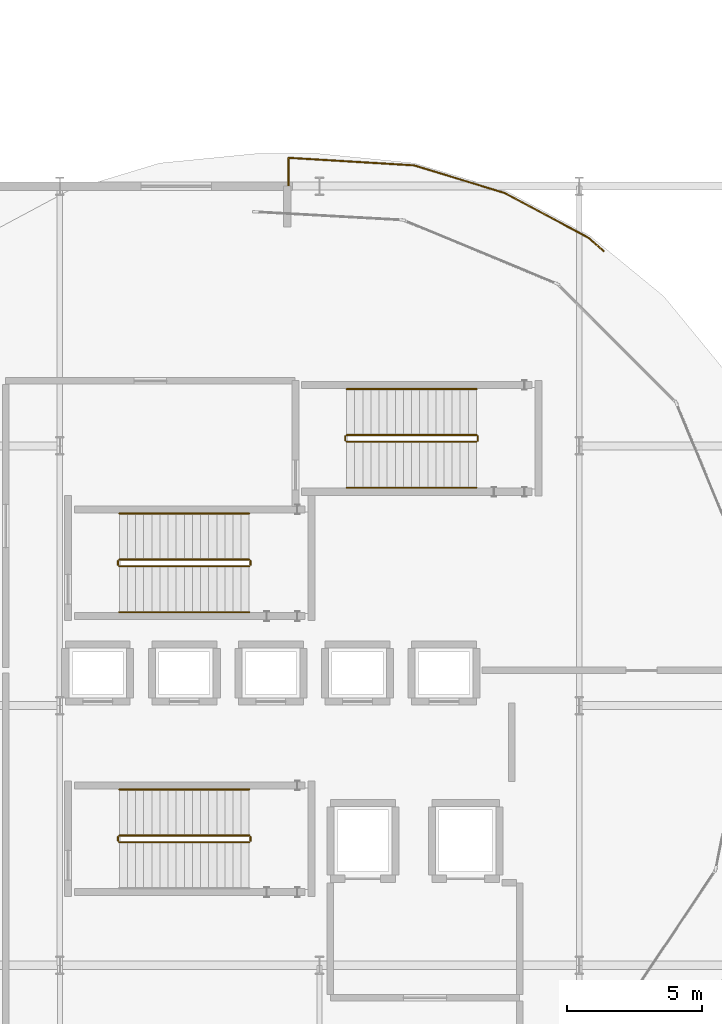
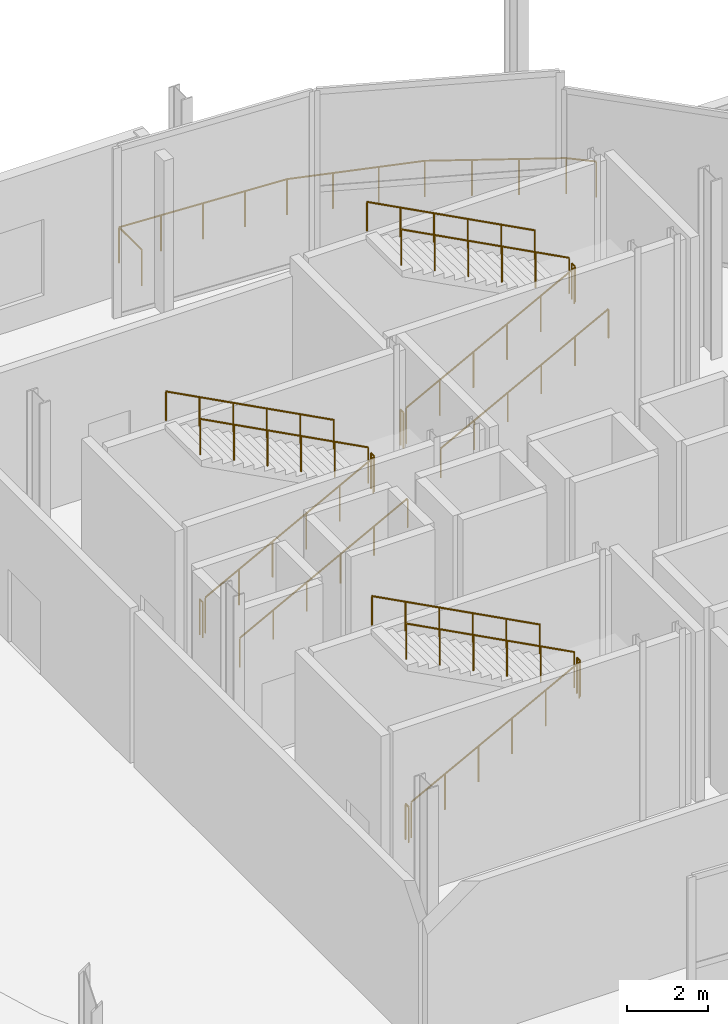
# One storey, part 80 of 84: 18 railings.
"""IFC4 building model written with IfcOpenShell, lengths in metres."""

from ifc_helpers import new_model, si_unit, direction, frame, origin, origin_2d, place, context, subcontext, project, spatial, circle, extrude, material, type_object, element, save


model = new_model("IFC4")

# Units and contexts
model_context = context("Model", 3, precision=1e-05, world=origin(), true_north=direction((0.0, 1.0)))
body_context = subcontext(model_context, "Body", "Model", "MODEL_VIEW")
ifc_project = project(units=[si_unit("LENGTHUNIT", "METRE"), si_unit("AREAUNIT", "SQUARE_METRE"), si_unit("VOLUMEUNIT", "CUBIC_METRE"), si_unit("PLANEANGLEUNIT", "RADIAN"), si_unit("MASSUNIT", "GRAM", prefix="KILO")], contexts=[model_context])

# Site, building, storey
site_placement = place(None, origin())
site = spatial("IfcSite", under=ifc_project, at=site_placement, CompositionType="ELEMENT")
building_placement = place(site_placement, origin())
building = spatial("IfcBuilding", under=site, at=building_placement, Name="Zevrakil Square Congress Hotel", CompositionType="ELEMENT")
storey_placement = place(building_placement, origin())
storey = spatial("IfcBuildingStorey", under=building, at=storey_placement, Name="L01", CompositionType="ELEMENT", Elevation=0.0)

# Railings
ifc_material_1 = material(Name="Steel S355", Category="steel")
railing_type_1 = type_object("IfcRailingType", Name="RLG-STAIR-GUARD-1100", PredefinedType="BALUSTRADE", material=ifc_material_1)
railing_1_placement = place(storey_placement, frame((139.0, 21.35009765625, 0.158935546875)))
element("IfcRailing", 1, at=railing_1_placement, inside=storey, type_object=railing_type_1, Name="L01 ST01 stair guard 1", PredefinedType="BALUSTRADE", context=body_context, shape_type="SweptSolid", body=[
    extrude(circle(Radius=0.02392578125, at=origin_2d()), frame((0.0, 0.0, 1.076171875), z_axis=(0.883802130504, 0.0, 0.467860870469), x_axis=(0.0, 1.0, 0.0)), (0.0, 0.0, 1.0), 5.43115234375),
    extrude(circle(Radius=0.02099609375, at=origin_2d()), origin(), (0.0, 0.0, 1.0), 1.052001953125),
    extrude(circle(Radius=0.02099609375, at=origin_2d()), frame((0.9599609375, 0.0, 0.50830078125)), (0.0, 0.0, 1.0), 1.052001953125),
    extrude(circle(Radius=0.02099609375, at=origin_2d()), frame((1.919921875, 0.0, 1.016357421875)), (0.0, 0.0, 1.0), 1.052001953125),
    extrude(circle(Radius=0.02099609375, at=origin_2d()), frame((2.880126953125, 0.0, 1.524658203125)), (0.0, 0.0, 1.0), 1.052001953125),
    extrude(circle(Radius=0.02099609375, at=origin_2d()), frame((3.840087890625, 0.0, 2.03271484375)), (0.0, 0.0, 1.0), 1.052001953125),
    extrude(circle(Radius=0.02099609375, at=origin_2d()), frame((4.800048828125, 0.0, 2.541015625)), (0.0, 0.0, 1.0), 1.052001953125),
])
railing_2_placement = place(storey_placement, frame((143.85009765625, 21.39990234375, 2.699951171875)))
element("IfcRailing", 2, at=railing_2_placement, inside=storey, type_object=railing_type_1, Name="L01 ST01 stair guard 2", PredefinedType="BALUSTRADE", context=body_context, shape_type="SweptSolid", body=[
    extrude(circle(Radius=0.02392578125, at=origin_2d()), frame((0.0, 0.0, 1.076171875), z_axis=(0.0, 1.0, 0.0), x_axis=(-1.0, 0.0, 0.0)), (0.0, 0.0, 1.0), 0.150146484375),
    extrude(circle(Radius=0.02099609375, at=origin_2d()), origin(), (0.0, 0.0, 1.0), 1.052001953125),
    extrude(circle(Radius=0.02099609375, at=origin_2d()), frame((0.0, 0.150146484375, 0.0)), (0.0, 0.0, 1.0), 1.052001953125),
])
railing_3_placement = place(storey_placement, frame((143.800048828125, 21.60009765625, 2.85888671875)))
element("IfcRailing", 3, at=railing_3_placement, inside=storey, type_object=railing_type_1, Name="L01 ST01 stair guard 3", PredefinedType="BALUSTRADE", context=body_context, shape_type="SweptSolid", body=[
    extrude(circle(Radius=0.02392578125, at=origin_2d()), frame((0.0, 0.0, 1.076171875), z_axis=(-0.883802130504, 0.0, 0.467860870469), x_axis=(0.0, -1.0, 0.0)), (0.0, 0.0, 1.0), 5.43115234375),
    extrude(circle(Radius=0.02099609375, at=origin_2d()), origin(), (0.0, 0.0, 1.0), 1.052001953125),
    extrude(circle(Radius=0.02099609375, at=origin_2d()), frame((-0.9599609375, 0.0, 0.50830078125)), (0.0, 0.0, 1.0), 1.052001953125),
    extrude(circle(Radius=0.02099609375, at=origin_2d()), frame((-1.919921875, 0.0, 1.016357421875)), (0.0, 0.0, 1.0), 1.052001953125),
    extrude(circle(Radius=0.02099609375, at=origin_2d()), frame((-2.880126953125, 0.0, 1.524658203125)), (0.0, 0.0, 1.0), 1.052001953125),
    extrude(circle(Radius=0.02099609375, at=origin_2d()), frame((-3.840087890625, 0.0, 2.03271484375)), (0.0, 0.0, 1.0), 1.052001953125),
    extrude(circle(Radius=0.02099609375, at=origin_2d()), frame((-4.800048828125, 0.0, 2.541015625)), (0.0, 0.0, 1.0), 1.052001953125),
])
railing_4_placement = place(storey_placement, frame((138.949951171875, 21.39990234375, 0.0)))
element("IfcRailing", 4, at=railing_4_placement, inside=storey, type_object=railing_type_1, Name="L01 ST01 stair guard 4", PredefinedType="BALUSTRADE", context=body_context, shape_type="SweptSolid", body=[
    extrude(circle(Radius=0.02392578125, at=origin_2d()), frame((0.0, 0.0, 1.076171875), z_axis=(0.0, 1.0, 0.0), x_axis=(-1.0, 0.0, 0.0)), (0.0, 0.0, 1.0), 0.150146484375),
    extrude(circle(Radius=0.02099609375, at=origin_2d()), origin(), (0.0, 0.0, 1.0), 1.052001953125),
    extrude(circle(Radius=0.02099609375, at=origin_2d()), frame((0.0, 0.150146484375, 0.0)), (0.0, 0.0, 1.0), 1.052001953125),
])
railing_5_placement = place(storey_placement, frame((139.0, 31.550048828125, 0.158935546875)))
element("IfcRailing", 5, at=railing_5_placement, inside=storey, type_object=railing_type_1, Name="L01 ST02 stair guard 1", PredefinedType="BALUSTRADE", context=body_context, shape_type="SweptSolid", body=[
    extrude(circle(Radius=0.02392578125, at=origin_2d()), frame((0.0, 0.0, 1.076171875), z_axis=(0.883802130504, 0.0, 0.467860870469), x_axis=(0.0, 1.0, 0.0)), (0.0, 0.0, 1.0), 5.43115234375),
    extrude(circle(Radius=0.02099609375, at=origin_2d()), origin(), (0.0, 0.0, 1.0), 1.052001953125),
    extrude(circle(Radius=0.02099609375, at=origin_2d()), frame((0.9599609375, 0.0, 0.50830078125)), (0.0, 0.0, 1.0), 1.052001953125),
    extrude(circle(Radius=0.02099609375, at=origin_2d()), frame((1.919921875, 0.0, 1.016357421875)), (0.0, 0.0, 1.0), 1.052001953125),
    extrude(circle(Radius=0.02099609375, at=origin_2d()), frame((2.880126953125, 0.0, 1.524658203125)), (0.0, 0.0, 1.0), 1.052001953125),
    extrude(circle(Radius=0.02099609375, at=origin_2d()), frame((3.840087890625, 0.0, 2.03271484375)), (0.0, 0.0, 1.0), 1.052001953125),
    extrude(circle(Radius=0.02099609375, at=origin_2d()), frame((4.800048828125, 0.0, 2.541015625)), (0.0, 0.0, 1.0), 1.052001953125),
])
railing_6_placement = place(storey_placement, frame((143.85009765625, 31.60009765625, 2.699951171875)))
element("IfcRailing", 6, at=railing_6_placement, inside=storey, type_object=railing_type_1, Name="L01 ST02 stair guard 2", PredefinedType="BALUSTRADE", context=body_context, shape_type="SweptSolid", body=[
    extrude(circle(Radius=0.02392578125, at=origin_2d()), frame((0.0, 0.0, 1.076171875), z_axis=(0.0, 1.0, 0.0), x_axis=(-1.0, 0.0, 0.0)), (0.0, 0.0, 1.0), 0.14990234375),
    extrude(circle(Radius=0.02099609375, at=origin_2d()), origin(), (0.0, 0.0, 1.0), 1.052001953125),
    extrude(circle(Radius=0.02099609375, at=origin_2d()), frame((0.0, 0.14990234375, 0.0)), (0.0, 0.0, 1.0), 1.052001953125),
])
railing_7_placement = place(storey_placement, frame((143.800048828125, 31.800048828125, 2.85888671875)))
element("IfcRailing", 7, at=railing_7_placement, inside=storey, type_object=railing_type_1, Name="L01 ST02 stair guard 3", PredefinedType="BALUSTRADE", context=body_context, shape_type="SweptSolid", body=[
    extrude(circle(Radius=0.02392578125, at=origin_2d()), frame((0.0, 0.0, 1.076171875), z_axis=(-0.883802130504, 0.0, 0.467860870469), x_axis=(0.0, -1.0, 0.0)), (0.0, 0.0, 1.0), 5.43115234375),
    extrude(circle(Radius=0.02099609375, at=origin_2d()), origin(), (0.0, 0.0, 1.0), 1.052001953125),
    extrude(circle(Radius=0.02099609375, at=origin_2d()), frame((-0.9599609375, 0.0, 0.50830078125)), (0.0, 0.0, 1.0), 1.052001953125),
    extrude(circle(Radius=0.02099609375, at=origin_2d()), frame((-1.919921875, 0.0, 1.016357421875)), (0.0, 0.0, 1.0), 1.052001953125),
    extrude(circle(Radius=0.02099609375, at=origin_2d()), frame((-2.880126953125, 0.0, 1.524658203125)), (0.0, 0.0, 1.0), 1.052001953125),
    extrude(circle(Radius=0.02099609375, at=origin_2d()), frame((-3.840087890625, 0.0, 2.03271484375)), (0.0, 0.0, 1.0), 1.052001953125),
    extrude(circle(Radius=0.02099609375, at=origin_2d()), frame((-4.800048828125, 0.0, 2.541015625)), (0.0, 0.0, 1.0), 1.052001953125),
])
railing_8_placement = place(storey_placement, frame((138.949951171875, 31.60009765625, 0.0)))
element("IfcRailing", 8, at=railing_8_placement, inside=storey, type_object=railing_type_1, Name="L01 ST02 stair guard 4", PredefinedType="BALUSTRADE", context=body_context, shape_type="SweptSolid", body=[
    extrude(circle(Radius=0.02392578125, at=origin_2d()), frame((0.0, 0.0, 1.076171875), z_axis=(0.0, 1.0, 0.0), x_axis=(-1.0, 0.0, 0.0)), (0.0, 0.0, 1.0), 0.14990234375),
    extrude(circle(Radius=0.02099609375, at=origin_2d()), origin(), (0.0, 0.0, 1.0), 1.052001953125),
    extrude(circle(Radius=0.02099609375, at=origin_2d()), frame((0.0, 0.14990234375, 0.0)), (0.0, 0.0, 1.0), 1.052001953125),
])
railing_9_placement = place(storey_placement, frame((147.39990234375, 36.14990234375, 0.158935546875)))
element("IfcRailing", 9, at=railing_9_placement, inside=storey, type_object=railing_type_1, Name="L01 ST03 stair guard 1", PredefinedType="BALUSTRADE", context=body_context, shape_type="SweptSolid", body=[
    extrude(circle(Radius=0.02392578125, at=origin_2d()), frame((0.0, 0.0, 1.076171875), z_axis=(0.883802130504, 0.0, 0.467860870469), x_axis=(0.0, 1.0, 0.0)), (0.0, 0.0, 1.0), 5.43115234375),
    extrude(circle(Radius=0.02099609375, at=origin_2d()), origin(), (0.0, 0.0, 1.0), 1.052001953125),
    extrude(circle(Radius=0.02099609375, at=origin_2d()), frame((0.9599609375, 0.0, 0.50830078125)), (0.0, 0.0, 1.0), 1.052001953125),
    extrude(circle(Radius=0.02099609375, at=origin_2d()), frame((1.919921875, 0.0, 1.016357421875)), (0.0, 0.0, 1.0), 1.052001953125),
    extrude(circle(Radius=0.02099609375, at=origin_2d()), frame((2.880126953125, 0.0, 1.524658203125)), (0.0, 0.0, 1.0), 1.052001953125),
    extrude(circle(Radius=0.02099609375, at=origin_2d()), frame((3.840087890625, 0.0, 2.03271484375)), (0.0, 0.0, 1.0), 1.052001953125),
    extrude(circle(Radius=0.02099609375, at=origin_2d()), frame((4.800048828125, 0.0, 2.541015625)), (0.0, 0.0, 1.0), 1.052001953125),
])
railing_10_placement = place(storey_placement, frame((152.25, 36.199951171875, 2.699951171875)))
element("IfcRailing", 10, at=railing_10_placement, inside=storey, type_object=railing_type_1, Name="L01 ST03 stair guard 2", PredefinedType="BALUSTRADE", context=body_context, shape_type="SweptSolid", body=[
    extrude(circle(Radius=0.02392578125, at=origin_2d()), frame((0.0, 0.0, 1.076171875), z_axis=(0.0, 1.0, 0.0), x_axis=(-1.0, 0.0, 0.0)), (0.0, 0.0, 1.0), 0.150146484375),
    extrude(circle(Radius=0.02099609375, at=origin_2d()), origin(), (0.0, 0.0, 1.0), 1.052001953125),
    extrude(circle(Radius=0.02099609375, at=origin_2d()), frame((0.0, 0.150146484375, 0.0)), (0.0, 0.0, 1.0), 1.052001953125),
])
railing_11_placement = place(storey_placement, frame((152.199951171875, 36.39990234375, 2.85888671875)))
element("IfcRailing", 11, at=railing_11_placement, inside=storey, type_object=railing_type_1, Name="L01 ST03 stair guard 3", PredefinedType="BALUSTRADE", context=body_context, shape_type="SweptSolid", body=[
    extrude(circle(Radius=0.02392578125, at=origin_2d()), frame((0.0, 0.0, 1.076171875), z_axis=(-0.883802130504, 0.0, 0.467860870469), x_axis=(0.0, -1.0, 0.0)), (0.0, 0.0, 1.0), 5.43115234375),
    extrude(circle(Radius=0.02099609375, at=origin_2d()), origin(), (0.0, 0.0, 1.0), 1.052001953125),
    extrude(circle(Radius=0.02099609375, at=origin_2d()), frame((-0.9599609375, 0.0, 0.50830078125)), (0.0, 0.0, 1.0), 1.052001953125),
    extrude(circle(Radius=0.02099609375, at=origin_2d()), frame((-1.919921875, 0.0, 1.016357421875)), (0.0, 0.0, 1.0), 1.052001953125),
    extrude(circle(Radius=0.02099609375, at=origin_2d()), frame((-2.880126953125, 0.0, 1.524658203125)), (0.0, 0.0, 1.0), 1.052001953125),
    extrude(circle(Radius=0.02099609375, at=origin_2d()), frame((-3.840087890625, 0.0, 2.03271484375)), (0.0, 0.0, 1.0), 1.052001953125),
    extrude(circle(Radius=0.02099609375, at=origin_2d()), frame((-4.800048828125, 0.0, 2.541015625)), (0.0, 0.0, 1.0), 1.052001953125),
])
railing_12_placement = place(storey_placement, frame((147.35009765625, 36.199951171875, 0.0)))
element("IfcRailing", 12, at=railing_12_placement, inside=storey, type_object=railing_type_1, Name="L01 ST03 stair guard 4", PredefinedType="BALUSTRADE", context=body_context, shape_type="SweptSolid", body=[
    extrude(circle(Radius=0.02392578125, at=origin_2d()), frame((0.0, 0.0, 1.076171875), z_axis=(0.0, 1.0, 0.0), x_axis=(-1.0, 0.0, 0.0)), (0.0, 0.0, 1.0), 0.150146484375),
    extrude(circle(Radius=0.02099609375, at=origin_2d()), origin(), (0.0, 0.0, 1.0), 1.052001953125),
    extrude(circle(Radius=0.02099609375, at=origin_2d()), frame((0.0, 0.150146484375, 0.0)), (0.0, 0.0, 1.0), 1.052001953125),
])
ifc_material_2 = material(Name="Steel S355", Category="steel")
railing_type_2 = type_object("IfcRailingType", Name="RLG-STAIR-HAND-900", PredefinedType="HANDRAIL", material=ifc_material_2)
railing_13_placement = place(storey_placement, frame((143.800048828125, 23.300048828125, 2.85888671875)))
element("IfcRailing", 13, at=railing_13_placement, inside=storey, type_object=railing_type_2, Name="L01 ST01 stair handrail 2", PredefinedType="HANDRAIL", context=body_context, shape_type="SweptSolid", body=[
    extrude(circle(Radius=0.02392578125, at=origin_2d()), frame((0.0, 0.0, 0.8759765625), z_axis=(-0.883802130504, 0.0, 0.467860870469), x_axis=(0.0, -1.0, 0.0)), (0.0, 0.0, 1.0), 5.43115234375),
    extrude(circle(Radius=0.02099609375, at=origin_2d()), origin(), (0.0, 0.0, 1.0), 0.851806640625),
    extrude(circle(Radius=0.02099609375, at=origin_2d()), frame((-0.9599609375, 0.0, 0.50830078125)), (0.0, 0.0, 1.0), 0.851806640625),
    extrude(circle(Radius=0.02099609375, at=origin_2d()), frame((-1.919921875, 0.0, 1.016357421875)), (0.0, 0.0, 1.0), 0.851806640625),
    extrude(circle(Radius=0.02099609375, at=origin_2d()), frame((-2.880126953125, 0.0, 1.524658203125)), (0.0, 0.0, 1.0), 0.851806640625),
    extrude(circle(Radius=0.02099609375, at=origin_2d()), frame((-3.840087890625, 0.0, 2.03271484375)), (0.0, 0.0, 1.0), 0.851806640625),
    extrude(circle(Radius=0.02099609375, at=origin_2d()), frame((-4.800048828125, 0.0, 2.541015625)), (0.0, 0.0, 1.0), 0.851806640625),
])
railing_14_placement = place(storey_placement, frame((139.0, 29.85009765625, 0.158935546875)))
element("IfcRailing", 14, at=railing_14_placement, inside=storey, type_object=railing_type_2, Name="L01 ST02 stair handrail 1", PredefinedType="HANDRAIL", context=body_context, shape_type="SweptSolid", body=[
    extrude(circle(Radius=0.02392578125, at=origin_2d()), frame((0.0, 0.0, 0.8759765625), z_axis=(0.883802130504, 0.0, 0.467860870469), x_axis=(0.0, 1.0, 0.0)), (0.0, 0.0, 1.0), 5.43115234375),
    extrude(circle(Radius=0.02099609375, at=origin_2d()), origin(), (0.0, 0.0, 1.0), 0.851806640625),
    extrude(circle(Radius=0.02099609375, at=origin_2d()), frame((0.9599609375, 0.0, 0.50830078125)), (0.0, 0.0, 1.0), 0.851806640625),
    extrude(circle(Radius=0.02099609375, at=origin_2d()), frame((1.919921875, 0.0, 1.016357421875)), (0.0, 0.0, 1.0), 0.851806640625),
    extrude(circle(Radius=0.02099609375, at=origin_2d()), frame((2.880126953125, 0.0, 1.524658203125)), (0.0, 0.0, 1.0), 0.851806640625),
    extrude(circle(Radius=0.02099609375, at=origin_2d()), frame((3.840087890625, 0.0, 2.03271484375)), (0.0, 0.0, 1.0), 0.851806640625),
    extrude(circle(Radius=0.02099609375, at=origin_2d()), frame((4.800048828125, 0.0, 2.541015625)), (0.0, 0.0, 1.0), 0.851806640625),
])
railing_15_placement = place(storey_placement, frame((143.800048828125, 33.5, 2.85888671875)))
element("IfcRailing", 15, at=railing_15_placement, inside=storey, type_object=railing_type_2, Name="L01 ST02 stair handrail 2", PredefinedType="HANDRAIL", context=body_context, shape_type="SweptSolid", body=[
    extrude(circle(Radius=0.02392578125, at=origin_2d()), frame((0.0, 0.0, 0.8759765625), z_axis=(-0.883802130504, 0.0, 0.467860870469), x_axis=(0.0, -1.0, 0.0)), (0.0, 0.0, 1.0), 5.43115234375),
    extrude(circle(Radius=0.02099609375, at=origin_2d()), origin(), (0.0, 0.0, 1.0), 0.851806640625),
    extrude(circle(Radius=0.02099609375, at=origin_2d()), frame((-0.9599609375, 0.0, 0.50830078125)), (0.0, 0.0, 1.0), 0.851806640625),
    extrude(circle(Radius=0.02099609375, at=origin_2d()), frame((-1.919921875, 0.0, 1.016357421875)), (0.0, 0.0, 1.0), 0.851806640625),
    extrude(circle(Radius=0.02099609375, at=origin_2d()), frame((-2.880126953125, 0.0, 1.524658203125)), (0.0, 0.0, 1.0), 0.851806640625),
    extrude(circle(Radius=0.02099609375, at=origin_2d()), frame((-3.840087890625, 0.0, 2.03271484375)), (0.0, 0.0, 1.0), 0.851806640625),
    extrude(circle(Radius=0.02099609375, at=origin_2d()), frame((-4.800048828125, 0.0, 2.541015625)), (0.0, 0.0, 1.0), 0.851806640625),
])
railing_16_placement = place(storey_placement, frame((147.39990234375, 34.449951171875, 0.158935546875)))
element("IfcRailing", 16, at=railing_16_placement, inside=storey, type_object=railing_type_2, Name="L01 ST03 stair handrail 1", PredefinedType="HANDRAIL", context=body_context, shape_type="SweptSolid", body=[
    extrude(circle(Radius=0.02392578125, at=origin_2d()), frame((0.0, 0.0, 0.8759765625), z_axis=(0.883802130504, 0.0, 0.467860870469), x_axis=(0.0, 1.0, 0.0)), (0.0, 0.0, 1.0), 5.43115234375),
    extrude(circle(Radius=0.02099609375, at=origin_2d()), origin(), (0.0, 0.0, 1.0), 0.851806640625),
    extrude(circle(Radius=0.02099609375, at=origin_2d()), frame((0.9599609375, 0.0, 0.50830078125)), (0.0, 0.0, 1.0), 0.851806640625),
    extrude(circle(Radius=0.02099609375, at=origin_2d()), frame((1.919921875, 0.0, 1.016357421875)), (0.0, 0.0, 1.0), 0.851806640625),
    extrude(circle(Radius=0.02099609375, at=origin_2d()), frame((2.880126953125, 0.0, 1.524658203125)), (0.0, 0.0, 1.0), 0.851806640625),
    extrude(circle(Radius=0.02099609375, at=origin_2d()), frame((3.840087890625, 0.0, 2.03271484375)), (0.0, 0.0, 1.0), 0.851806640625),
    extrude(circle(Radius=0.02099609375, at=origin_2d()), frame((4.800048828125, 0.0, 2.541015625)), (0.0, 0.0, 1.0), 0.851806640625),
])
railing_17_placement = place(storey_placement, frame((152.199951171875, 38.10009765625, 2.85888671875)))
element("IfcRailing", 17, at=railing_17_placement, inside=storey, type_object=railing_type_2, Name="L01 ST03 stair handrail 2", PredefinedType="HANDRAIL", context=body_context, shape_type="SweptSolid", body=[
    extrude(circle(Radius=0.02392578125, at=origin_2d()), frame((0.0, 0.0, 0.8759765625), z_axis=(-0.883802130504, 0.0, 0.467860870469), x_axis=(0.0, -1.0, 0.0)), (0.0, 0.0, 1.0), 5.43115234375),
    extrude(circle(Radius=0.02099609375, at=origin_2d()), origin(), (0.0, 0.0, 1.0), 0.851806640625),
    extrude(circle(Radius=0.02099609375, at=origin_2d()), frame((-0.9599609375, 0.0, 0.50830078125)), (0.0, 0.0, 1.0), 0.851806640625),
    extrude(circle(Radius=0.02099609375, at=origin_2d()), frame((-1.919921875, 0.0, 1.016357421875)), (0.0, 0.0, 1.0), 0.851806640625),
    extrude(circle(Radius=0.02099609375, at=origin_2d()), frame((-2.880126953125, 0.0, 1.524658203125)), (0.0, 0.0, 1.0), 0.851806640625),
    extrude(circle(Radius=0.02099609375, at=origin_2d()), frame((-3.840087890625, 0.0, 2.03271484375)), (0.0, 0.0, 1.0), 0.851806640625),
    extrude(circle(Radius=0.02099609375, at=origin_2d()), frame((-4.800048828125, 0.0, 2.541015625)), (0.0, 0.0, 1.0), 0.851806640625),
])
ifc_material_3 = material(Name="Steel S355", Category="steel")
railing_type_3 = type_object("IfcRailingType", Name="RLG-TERR-1100", PredefinedType="BALUSTRADE", material=ifc_material_3)
railing_18_placement = place(storey_placement, frame((145.25, 45.52001953125, 0.0)))
element("IfcRailing", 18, at=railing_18_placement, inside=storey, type_object=railing_type_3, Name="L01 terrace and void safety balustrade guard 16", PredefinedType="BALUSTRADE", context=body_context, shape_type="SweptSolid", body=[
    extrude(circle(Radius=0.02392578125, at=origin_2d()), frame((0.0, 0.0, 1.076171875), z_axis=(0.0, 1.0, 0.0), x_axis=(-1.0, 0.0, 0.0)), (0.0, 0.0, 1.0), 1.1298828125),
    extrude(circle(Radius=0.02392578125, at=origin_2d()), frame((0.0, 1.1298828125, 1.076171875), z_axis=(0.99818690269, -0.060190591449, 0.0), x_axis=(0.060190591449, 0.99818690269, 0.0)), (0.0, 0.0, 1.0), 4.6484375),
    extrude(circle(Radius=0.02392578125, at=origin_2d()), frame((4.639892578125, 0.85009765625, 1.076171875), z_axis=(0.956640101637, -0.291272580137, 0.0), x_axis=(0.291272580137, 0.956640101637, 0.0)), (0.0, 0.0, 1.0), 3.501953125),
    extrude(circle(Radius=0.02392578125, at=origin_2d()), frame((7.989990234375, -0.169921875, 1.076171875), z_axis=(0.882103948767, -0.471054798903, 0.0), x_axis=(0.471054798903, 0.882103948767, 0.0)), (0.0, 0.0, 1.0), 3.503173828125),
    extrude(circle(Radius=0.02392578125, at=origin_2d()), frame((11.080078125, -1.820068359375, 1.076171875), z_axis=(0.751658271757, -0.659552759451, 0.0), x_axis=(0.659552759451, 0.751658271757, 0.0)), (0.0, 0.0, 1.0), 0.758056640625),
    extrude(circle(Radius=0.02099609375, at=origin_2d()), origin(), (0.0, 0.0, 1.0), 1.052001953125),
    extrude(circle(Radius=0.02099609375, at=origin_2d()), frame((0.0, 1.1298828125, 0.0)), (0.0, 0.0, 1.0), 1.052001953125),
    extrude(circle(Radius=0.02099609375, at=origin_2d()), frame((1.159912109375, 1.06005859375, 0.0)), (0.0, 0.0, 1.0), 1.052001953125),
    extrude(circle(Radius=0.02099609375, at=origin_2d()), frame((2.31982421875, 0.989990234375, 0.0)), (0.0, 0.0, 1.0), 1.052001953125),
    extrude(circle(Radius=0.02099609375, at=origin_2d()), frame((3.47998046875, 0.919921875, 0.0)), (0.0, 0.0, 1.0), 1.052001953125),
    extrude(circle(Radius=0.02099609375, at=origin_2d()), frame((4.639892578125, 0.85009765625, 0.0)), (0.0, 0.0, 1.0), 1.052001953125),
    extrude(circle(Radius=0.02099609375, at=origin_2d()), frame((5.756591796875, 0.510009765625, 0.0)), (0.0, 0.0, 1.0), 1.052001953125),
    extrude(circle(Radius=0.02099609375, at=origin_2d()), frame((6.873291015625, 0.170166015625, 0.0)), (0.0, 0.0, 1.0), 1.052001953125),
    extrude(circle(Radius=0.02099609375, at=origin_2d()), frame((7.989990234375, -0.169921875, 0.0)), (0.0, 0.0, 1.0), 1.052001953125),
    extrude(circle(Radius=0.02099609375, at=origin_2d()), frame((9.02001953125, -0.719970703125, 0.0)), (0.0, 0.0, 1.0), 1.052001953125),
    extrude(circle(Radius=0.02099609375, at=origin_2d()), frame((10.050048828125, -1.27001953125, 0.0)), (0.0, 0.0, 1.0), 1.052001953125),
    extrude(circle(Radius=0.02099609375, at=origin_2d()), frame((11.080078125, -1.820068359375, 0.0)), (0.0, 0.0, 1.0), 1.052001953125),
    extrude(circle(Radius=0.02099609375, at=origin_2d()), frame((11.64990234375, -2.320068359375, 0.0)), (0.0, 0.0, 1.0), 1.052001953125),
])

save(model, "model.ifc")
